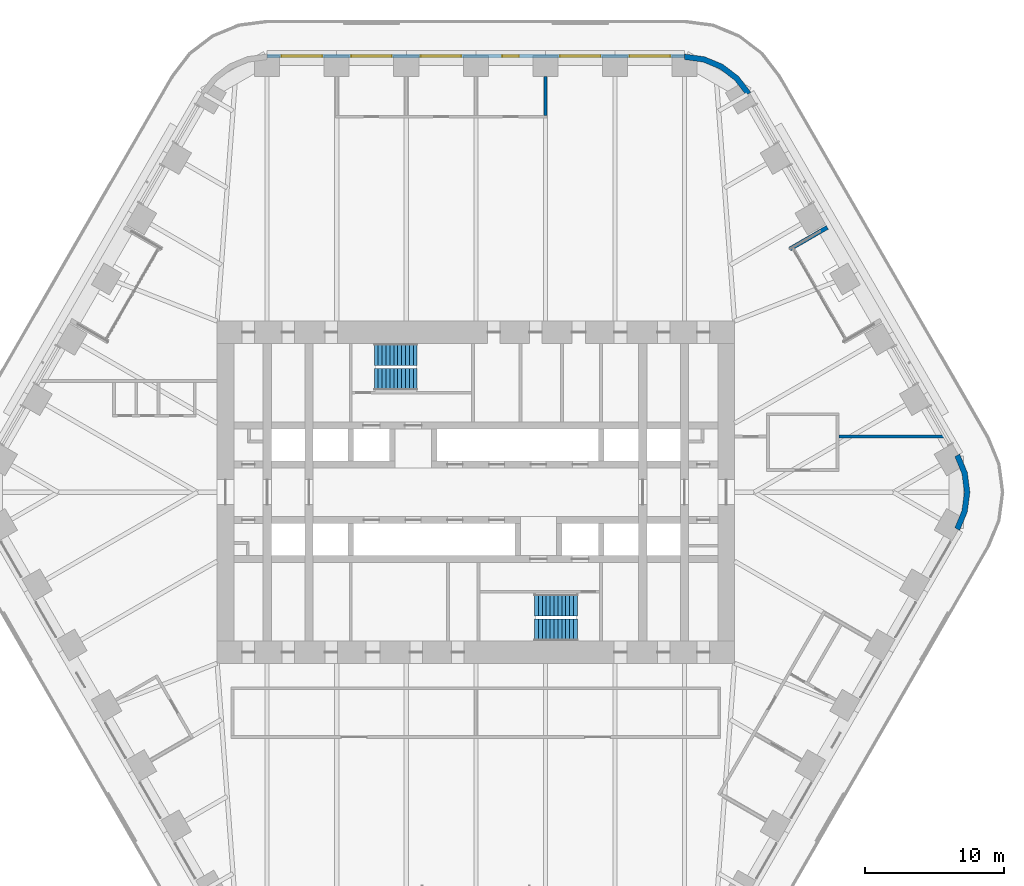
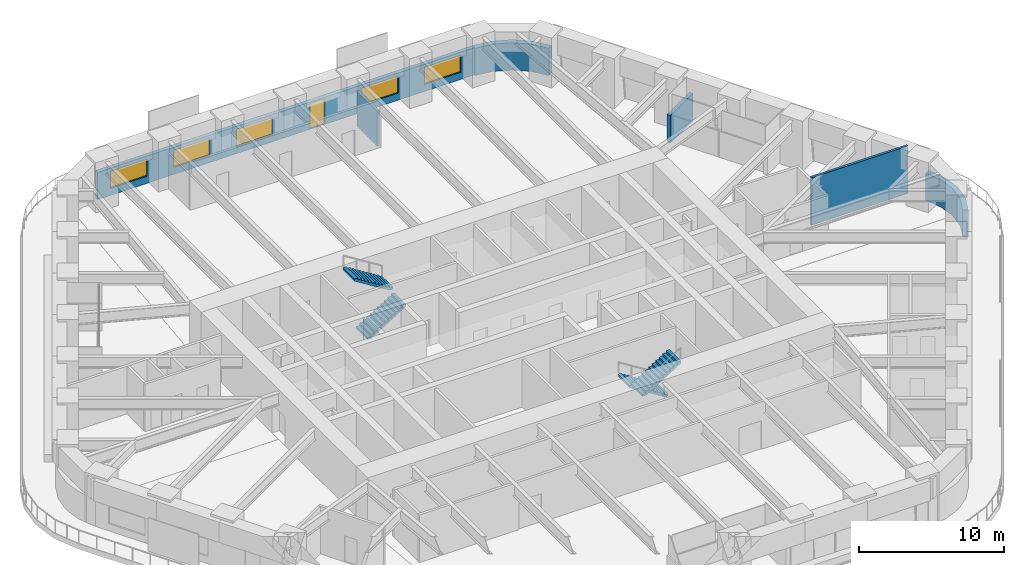
# One storey, part 21 of 24: 6 walls, 5 windows, 4 stair flights, 1 door, 6 openings, 2 elements without a shape of their own.
"""IFC4 building model written with IfcOpenShell, lengths in metres."""

from ifc_helpers import new_model, si_unit, direction, frame, frame_2d, origin, place, context, subcontext, project, spatial, polyline, rectangle, outline, extrude, material, layer, layer_set, type_object, element, fill, aggregate, save


model = new_model("IFC4")

# Units and contexts
model_context = context("Model", 3, precision=1e-05, world=origin(), true_north=direction((0.0, 1.0)))
body_context = subcontext(model_context, "Body", "Model", "MODEL_VIEW")
ifc_project = project(units=[si_unit("LENGTHUNIT", "METRE"), si_unit("AREAUNIT", "SQUARE_METRE"), si_unit("VOLUMEUNIT", "CUBIC_METRE"), si_unit("PLANEANGLEUNIT", "RADIAN"), si_unit("MASSUNIT", "GRAM", prefix="KILO")], contexts=[model_context])

# Site, building, storey
site_placement = place(None, origin())
site = spatial("IfcSite", under=ifc_project, at=site_placement, CompositionType="ELEMENT")
building_placement = place(site_placement, origin())
building = spatial("IfcBuilding", under=site, at=building_placement, Name="Tarfa Lantern Tower", CompositionType="ELEMENT")
storey_placement = place(building_placement, frame((0.0, 0.0, 127.89990234375)))
storey = spatial("IfcBuildingStorey", under=building, at=storey_placement, Name="L28", CompositionType="ELEMENT", Elevation=127.89990234375)

# Wall
ifc_material_1 = material(Name="Limestone cladding on blockwork", Category="masonry")
ifc_layer_1 = layer(ifc_material_1, 0.300048828125)
ifc_layer_set_1 = layer_set([ifc_layer_1], Name="EW1 STONE-CLAD WALL 300")
wall_type_1 = type_object("IfcWallType", Name="EW1 STONE-CLAD WALL 300", PredefinedType="SOLIDWALL", material=ifc_layer_set_1)
wall_1_placement = place(storey_placement, frame((25.266357421875, 19.037353515625, 0.0), z_axis=(0.0, 0.0, 1.0), x_axis=(-0.86600983753, -0.500026960575, 0.0)))
element("IfcWall", 1, at=wall_1_placement, inside=storey, type_object=wall_type_1, Name="Loggia return NE 2", PredefinedType="SOLIDWALL", context=body_context, shape_type="SweptSolid", body=[
    extrude(rectangle(XDim=3.099853515625, YDim=0.300048828125, at=frame_2d((1.5498046875, 0.0))), origin(), (0.0, 0.0, 1.0), 2.300048828125),
])

# Wall, openings, door, windows
wall_2_placement = place(storey_placement, frame((15.010986328125, 31.35009765625, 0.0), z_axis=(0.0, 0.0, 1.0), x_axis=(-1.0, 0.0, 0.0)))
wall_2 = element("IfcWall", 2, at=wall_2_placement, inside=storey, type_object=wall_type_1, Name="Stone wall N", PredefinedType="SOLIDWALL", context=body_context, shape_type="SweptSolid", body=[
    extrude(rectangle(XDim=30.02197265625, YDim=0.300048828125, at=frame_2d((15.010986328125, 0.0))), origin(), (0.0, 0.0, 1.0), 2.300048828125),
])
opening_1_placement = place(wall_2_placement, frame((1.0517578125, 0.0, 0.60009765625)))
opening_1 = element("IfcOpeningElement", 3, at=opening_1_placement, cuts=wall_2, Name="Opening W8", PredefinedType="OPENING", context=body_context, shape_type="SweptSolid", body=[
    extrude(rectangle(XDim=2.89990234375, YDim=1.449951171875, at=frame_2d((1.449951171875, 0.72509765625))), frame((0.0, 0.159912109375, 0.0), z_axis=(0.0, -1.0, 0.0), x_axis=(1.0, 0.0, 0.0)), (0.0, 0.0, 1.0), 0.320068359375),
])
opening_2_placement = place(wall_2_placement, frame((6.0556640625, 0.0, 0.60009765625)))
opening_2 = element("IfcOpeningElement", 4, at=opening_2_placement, cuts=wall_2, Name="Opening W8", PredefinedType="OPENING", context=body_context, shape_type="SweptSolid", body=[
    extrude(rectangle(XDim=2.89990234375, YDim=1.449951171875, at=frame_2d((1.449951171875, 0.72509765625))), frame((0.0, 0.159912109375, 0.0), z_axis=(0.0, -1.0, 0.0), x_axis=(1.0, 0.0, 0.0)), (0.0, 0.0, 1.0), 0.320068359375),
])
opening_3_placement = place(wall_2_placement, frame((11.9091796875, 0.0, 0.0)))
opening_3 = element("IfcOpeningElement", 5, at=opening_3_placement, cuts=wall_2, Name="Opening D48", PredefinedType="OPENING", context=body_context, shape_type="SweptSolid", body=[
    extrude(rectangle(XDim=1.199951171875, YDim=2.199951171875, at=frame_2d((0.60009765625, 1.10009765625))), frame((0.0, 0.159912109375, 0.0), z_axis=(0.0, -1.0, 0.0), x_axis=(1.0, 0.0, 0.0)), (0.0, 0.0, 1.0), 0.320068359375),
])
opening_4_placement = place(wall_2_placement, frame((16.06298828125, 0.0, 0.60009765625)))
opening_4 = element("IfcOpeningElement", 6, at=opening_4_placement, cuts=wall_2, Name="Opening W8", PredefinedType="OPENING", context=body_context, shape_type="SweptSolid", body=[
    extrude(rectangle(XDim=2.89990234375, YDim=1.449951171875, at=frame_2d((1.449951171875, 0.72509765625))), frame((0.0, 0.159912109375, 0.0), z_axis=(0.0, -1.0, 0.0), x_axis=(1.0, 0.0, 0.0)), (0.0, 0.0, 1.0), 0.320068359375),
])
opening_5_placement = place(wall_2_placement, frame((21.066650390625, 0.0, 0.60009765625)))
opening_5 = element("IfcOpeningElement", 7, at=opening_5_placement, cuts=wall_2, Name="Opening W8", PredefinedType="OPENING", context=body_context, shape_type="SweptSolid", body=[
    extrude(rectangle(XDim=2.89990234375, YDim=1.449951171875, at=frame_2d((1.449951171875, 0.72509765625))), frame((0.0, 0.159912109375, 0.0), z_axis=(0.0, -1.0, 0.0), x_axis=(1.0, 0.0, 0.0)), (0.0, 0.0, 1.0), 0.320068359375),
])
opening_6_placement = place(wall_2_placement, frame((26.0703125, 0.0, 0.60009765625)))
opening_6 = element("IfcOpeningElement", 8, at=opening_6_placement, cuts=wall_2, Name="Opening W8", PredefinedType="OPENING", context=body_context, shape_type="SweptSolid", body=[
    extrude(rectangle(XDim=2.89990234375, YDim=1.449951171875, at=frame_2d((1.449951171875, 0.72509765625))), frame((0.0, 0.159912109375, 0.0), z_axis=(0.0, -1.0, 0.0), x_axis=(1.0, 0.0, 0.0)), (0.0, 0.0, 1.0), 0.320068359375),
])
ifc_material_2 = material(Name="Aluminium framed glazed door", Category="aluminium")
door_type = type_object("IfcDoorType", Name="BE5 BALCONY DOOR 1200x2200", OperationType="SINGLE_SWING_RIGHT", PredefinedType="DOOR", material=ifc_material_2)
door_placement = place(opening_3_placement, origin())
door = element("IfcDoor", 9, at=door_placement, inside=storey, type_object=door_type, Name="Balcony door N", OperationType="SINGLE_SWING_RIGHT", OverallHeight=2.199951171875, OverallWidth=1.199951171875, PredefinedType="DOOR", context=body_context, shape_type="SweptSolid", body=[
    extrude(rectangle(XDim=1.199951171875, YDim=2.199951171875, at=frame_2d((0.60009765625, 1.10009765625))), frame((0.0, 0.02490234375, 0.0), z_axis=(0.0, -1.0, 0.0), x_axis=(1.0, 0.0, 0.0)), (0.0, 0.0, 1.0), 0.050048828125),
])
fill(opening_3, door)
ifc_material_3 = material(Name="Aluminium frame, double glazed", Category="aluminium")
window_type = type_object("IfcWindowType", Name="W8 FULL-HEIGHT GLAZING 2900x1450", PartitioningType="SINGLE_PANEL", PredefinedType="WINDOW", material=ifc_material_3)
window_1_placement = place(opening_1_placement, origin())
window_1 = element("IfcWindow", 10, at=window_1_placement, inside=storey, type_object=window_type, Name="Window N 1", OverallHeight=1.449951171875, OverallWidth=2.89990234375, PartitioningType="SINGLE_PANEL", PredefinedType="WINDOW", context=body_context, shape_type="SweptSolid", body=[
    extrude(rectangle(XDim=2.89990234375, YDim=1.449951171875, at=frame_2d((1.449951171875, 0.72509765625))), frame((0.0, 0.030029296875, 0.0), z_axis=(0.0, -1.0, 0.0), x_axis=(1.0, 0.0, 0.0)), (0.0, 0.0, 1.0), 0.06005859375),
])
fill(opening_1, window_1)
window_2_placement = place(opening_2_placement, origin())
window_2 = element("IfcWindow", 11, at=window_2_placement, inside=storey, type_object=window_type, Name="Window N 2", OverallHeight=1.449951171875, OverallWidth=2.89990234375, PartitioningType="SINGLE_PANEL", PredefinedType="WINDOW", context=body_context, shape_type="SweptSolid", body=[
    extrude(rectangle(XDim=2.89990234375, YDim=1.449951171875, at=frame_2d((1.449951171875, 0.72509765625))), frame((0.0, 0.030029296875, 0.0), z_axis=(0.0, -1.0, 0.0), x_axis=(1.0, 0.0, 0.0)), (0.0, 0.0, 1.0), 0.06005859375),
])
fill(opening_2, window_2)
window_3_placement = place(opening_4_placement, origin())
window_3 = element("IfcWindow", 12, at=window_3_placement, inside=storey, type_object=window_type, Name="Window N 4", OverallHeight=1.449951171875, OverallWidth=2.89990234375, PartitioningType="SINGLE_PANEL", PredefinedType="WINDOW", context=body_context, shape_type="SweptSolid", body=[
    extrude(rectangle(XDim=2.89990234375, YDim=1.449951171875, at=frame_2d((1.449951171875, 0.72509765625))), frame((0.0, 0.030029296875, 0.0), z_axis=(0.0, -1.0, 0.0), x_axis=(1.0, 0.0, 0.0)), (0.0, 0.0, 1.0), 0.06005859375),
])
fill(opening_4, window_3)
window_4_placement = place(opening_5_placement, origin())
window_4 = element("IfcWindow", 13, at=window_4_placement, inside=storey, type_object=window_type, Name="Window N 5", OverallHeight=1.449951171875, OverallWidth=2.89990234375, PartitioningType="SINGLE_PANEL", PredefinedType="WINDOW", context=body_context, shape_type="SweptSolid", body=[
    extrude(rectangle(XDim=2.89990234375, YDim=1.449951171875, at=frame_2d((1.449951171875, 0.72509765625))), frame((0.0, 0.030029296875, 0.0), z_axis=(0.0, -1.0, 0.0), x_axis=(1.0, 0.0, 0.0)), (0.0, 0.0, 1.0), 0.06005859375),
])
fill(opening_5, window_4)
window_5_placement = place(opening_6_placement, origin())
window_5 = element("IfcWindow", 14, at=window_5_placement, inside=storey, type_object=window_type, Name="Window N 6", OverallHeight=1.449951171875, OverallWidth=2.89990234375, PartitioningType="SINGLE_PANEL", PredefinedType="WINDOW", context=body_context, shape_type="SweptSolid", body=[
    extrude(rectangle(XDim=2.89990234375, YDim=1.449951171875, at=frame_2d((1.449951171875, 0.72509765625))), frame((0.0, 0.030029296875, 0.0), z_axis=(0.0, -1.0, 0.0), x_axis=(1.0, 0.0, 0.0)), (0.0, 0.0, 1.0), 0.06005859375),
])
fill(opening_6, window_5)

# Walls
ifc_layer_2 = layer(ifc_material_1, 0.39990234375)
ifc_layer_set_2 = layer_set([ifc_layer_2], Name="EW2 CURVED STONE CORNER 400")
wall_type_2 = type_object("IfcWallType", Name="EW2 CURVED STONE CORNER 400", PredefinedType="SOLIDWALL", material=ifc_layer_set_2)
wall_3_placement = place(storey_placement, origin())
element("IfcWall", 15, at=wall_3_placement, inside=storey, type_object=wall_type_2, Name="Stone corner NE-N", PredefinedType="SOLIDWALL", context=body_context, shape_type="SweptSolid", body=[
    extrude(outline(polyline([(19.774169921875, 28.75), (18.900146484375, 29.88916015625), (17.760986328125, 30.76318359375), (16.4345703125, 31.3125), (15.010986328125, 31.5), (15.010986328125, 31.10009765625), (16.3310546875, 30.92626953125), (17.56103515625, 30.416748046875), (18.617431640625, 29.606201171875), (19.427734375, 28.550048828125), (19.774169921875, 28.75)])), origin(), (0.0, 0.0, 1.0), 2.300048828125),
])
wall_4_placement = place(storey_placement, origin())
element("IfcWall", 16, at=wall_4_placement, inside=storey, type_object=wall_type_2, Name="Stone corner SE-NE", PredefinedType="SOLIDWALL", context=body_context, shape_type="SweptSolid", body=[
    extrude(outline(polyline([(34.785400390625, -2.75), (35.334716796875, -1.423583984375), (35.522216796875, 0.0), (35.334716796875, 1.423583984375), (34.785400390625, 2.75), (34.43896484375, 2.550048828125), (34.948486328125, 1.320068359375), (35.122314453125, 0.0), (34.948486328125, -1.320068359375), (34.43896484375, -2.550048828125), (34.785400390625, -2.75)])), origin(), (0.0, 0.0, 1.0), 2.300048828125),
])
ifc_material_4 = material(Name="Gypsum board on steel studs", Category="steel")
ifc_layer_3 = layer(ifc_material_4, 0.2099609375)
ifc_layer_set_3 = layer_set([ifc_layer_3], Name="IW2 ACOUSTIC PARTITION 200")
wall_type_3 = type_object("IfcWallType", Name="IW2 ACOUSTIC PARTITION 200", PredefinedType="PARTITIONING", material=ifc_layer_set_3)
wall_5_placement = place(storey_placement, frame((5.003662109375, 27.10009765625, 0.0), z_axis=(0.0, 0.0, 1.0), x_axis=(0.0, 1.0, 0.0)))
element("IfcWall", 17, at=wall_5_placement, inside=storey, type_object=wall_type_3, Name="Partition", PredefinedType="PARTITIONING", context=body_context, shape_type="SweptSolid", body=[
    extrude(rectangle(XDim=2.7998046875, YDim=0.199951171875, at=frame_2d((1.39990234375, 0.0))), origin(), (0.0, 0.0, 1.0), 2.991943359375),
])
wall_6_placement = place(storey_placement, frame((26.10009765625, 4.0, 0.0), z_axis=(0.0, 0.0, 1.0), x_axis=(1.0, 0.0, 0.0)))
element("IfcWall", 18, at=wall_6_placement, inside=storey, type_object=wall_type_3, Name="Partition", PredefinedType="PARTITIONING", context=body_context, shape_type="SweptSolid", body=[
    extrude(rectangle(XDim=7.70947265625, YDim=0.199951171875, at=frame_2d((3.854736328125, 0.0))), origin(), (0.0, 0.0, 1.0), 4.0),
])

# Stair, stair flights
ifc_material_5 = material(Name="Concrete C40/50", Category="concrete")
stair_type = type_object("IfcStairType", Name="ST-T10 HALF-TURN STAIR 4200 RISE", PredefinedType="HALF_TURN_STAIR", material=ifc_material_5)
stair_1_placement = place(storey_placement, origin())
stair_1 = element("IfcStair", 19, at=stair_1_placement, inside=storey, type_object=stair_type, Name="Stair ST1", PredefinedType="HALF_TURN_STAIR")
stair_flight_type = type_object("IfcStairFlightType", Name="SF1 STAIR FLIGHT", PredefinedType="STRAIGHT", material=ifc_material_5)
stair_flight_1_placement = place(storey_placement, frame((-7.300048828125, 8.10009765625, 0.0), z_axis=(0.0, 0.0, 1.0), x_axis=(1.0, 0.0, 0.0)))
stair_flight_1 = element("IfcStairFlight", 20, at=stair_flight_1_placement, type_object=stair_flight_type, Name="ST1 flight 1", NumberOfRisers=12, NumberOfTreads=11, PredefinedType="STRAIGHT", RiserHeight=0.175, TreadLength=0.28, context=body_context, shape_type="SweptSolid", body=[
    extrude(outline(polyline([(0.0, 0.0), (0.0, 0.175048828125), (0.280029296875, 0.175048828125), (0.280029296875, 0.35009765625), (0.56005859375, 0.35009765625), (0.56005859375, 0.52490234375), (0.840087890625, 0.52490234375), (0.840087890625, 0.699951171875), (1.1201171875, 0.699951171875), (1.1201171875, 0.875), (1.39990234375, 0.875), (1.39990234375, 1.050048828125), (1.679931640625, 1.050048828125), (1.679931640625, 1.22509765625), (1.9599609375, 1.22509765625), (1.9599609375, 1.39990234375), (2.239990234375, 1.39990234375), (2.239990234375, 1.574951171875), (2.52001953125, 1.574951171875), (2.52001953125, 1.75), (2.800048828125, 1.75), (2.800048828125, 1.925048828125), (3.080078125, 1.925048828125), (3.080078125, 2.10009765625), (3.080078125, 1.748291015625), (0.28271484375, 0.0), (0.0, 0.0)])), frame((0.0, 0.800048828125, 0.0), z_axis=(0.0, -1.0, 0.0), x_axis=(1.0, 0.0, 0.0)), (0.0, 0.0, 1.0), 1.60009765625),
])
stair_flight_2_placement = place(storey_placement, frame((-4.219970703125, 9.89990234375, 2.10009765625), z_axis=(0.0, 0.0, 1.0), x_axis=(-1.0, 0.0, 0.0)))
stair_flight_2 = element("IfcStairFlight", 21, at=stair_flight_2_placement, type_object=stair_flight_type, Name="ST1 flight 2", NumberOfRisers=12, NumberOfTreads=11, PredefinedType="STRAIGHT", RiserHeight=0.175, TreadLength=0.28, context=body_context, shape_type="SweptSolid", body=[
    extrude(outline(polyline([(0.0, 0.0), (0.0, 0.175048828125), (0.280029296875, 0.175048828125), (0.280029296875, 0.35009765625), (0.56005859375, 0.35009765625), (0.56005859375, 0.52490234375), (0.840087890625, 0.52490234375), (0.840087890625, 0.699951171875), (1.1201171875, 0.699951171875), (1.1201171875, 0.875), (1.39990234375, 0.875), (1.39990234375, 1.050048828125), (1.679931640625, 1.050048828125), (1.679931640625, 1.22509765625), (1.9599609375, 1.22509765625), (1.9599609375, 1.39990234375), (2.239990234375, 1.39990234375), (2.239990234375, 1.574951171875), (2.52001953125, 1.574951171875), (2.52001953125, 1.75), (2.800048828125, 1.75), (2.800048828125, 1.925048828125), (3.080078125, 1.925048828125), (3.080078125, 2.10009765625), (3.080078125, 1.748291015625), (0.28271484375, 0.0), (0.0, 0.0)])), frame((0.0, 0.800048828125, 0.0), z_axis=(0.0, -1.0, 0.0), x_axis=(1.0, 0.0, 0.0)), (0.0, 0.0, 1.0), 1.60009765625),
])
aggregate(stair_1, [stair_flight_1, stair_flight_2])

stair_2_placement = place(storey_placement, origin())
stair_2 = element("IfcStair", 22, at=stair_2_placement, inside=storey, type_object=stair_type, Name="Stair ST2", PredefinedType="HALF_TURN_STAIR")
stair_flight_3_placement = place(storey_placement, frame((7.300048828125, -8.10009765625, 0.0), z_axis=(0.0, 0.0, 1.0), x_axis=(-1.0, 0.0, 0.0)))
stair_flight_3 = element("IfcStairFlight", 23, at=stair_flight_3_placement, type_object=stair_flight_type, Name="ST2 flight 1", NumberOfRisers=12, NumberOfTreads=11, PredefinedType="STRAIGHT", RiserHeight=0.175, TreadLength=0.28, context=body_context, shape_type="SweptSolid", body=[
    extrude(outline(polyline([(0.0, 0.0), (0.0, 0.175048828125), (0.280029296875, 0.175048828125), (0.280029296875, 0.35009765625), (0.56005859375, 0.35009765625), (0.56005859375, 0.52490234375), (0.840087890625, 0.52490234375), (0.840087890625, 0.699951171875), (1.1201171875, 0.699951171875), (1.1201171875, 0.875), (1.39990234375, 0.875), (1.39990234375, 1.050048828125), (1.679931640625, 1.050048828125), (1.679931640625, 1.22509765625), (1.9599609375, 1.22509765625), (1.9599609375, 1.39990234375), (2.239990234375, 1.39990234375), (2.239990234375, 1.574951171875), (2.52001953125, 1.574951171875), (2.52001953125, 1.75), (2.800048828125, 1.75), (2.800048828125, 1.925048828125), (3.080078125, 1.925048828125), (3.080078125, 2.10009765625), (3.080078125, 1.748291015625), (0.28271484375, 0.0), (0.0, 0.0)])), frame((0.0, 0.800048828125, 0.0), z_axis=(0.0, -1.0, 0.0), x_axis=(1.0, 0.0, 0.0)), (0.0, 0.0, 1.0), 1.60009765625),
])
stair_flight_4_placement = place(storey_placement, frame((4.219970703125, -9.89990234375, 2.10009765625), z_axis=(0.0, 0.0, 1.0), x_axis=(1.0, 0.0, 0.0)))
stair_flight_4 = element("IfcStairFlight", 24, at=stair_flight_4_placement, type_object=stair_flight_type, Name="ST2 flight 2", NumberOfRisers=12, NumberOfTreads=11, PredefinedType="STRAIGHT", RiserHeight=0.175, TreadLength=0.28, context=body_context, shape_type="SweptSolid", body=[
    extrude(outline(polyline([(0.0, 0.0), (0.0, 0.175048828125), (0.280029296875, 0.175048828125), (0.280029296875, 0.35009765625), (0.56005859375, 0.35009765625), (0.56005859375, 0.52490234375), (0.840087890625, 0.52490234375), (0.840087890625, 0.699951171875), (1.1201171875, 0.699951171875), (1.1201171875, 0.875), (1.39990234375, 0.875), (1.39990234375, 1.050048828125), (1.679931640625, 1.050048828125), (1.679931640625, 1.22509765625), (1.9599609375, 1.22509765625), (1.9599609375, 1.39990234375), (2.239990234375, 1.39990234375), (2.239990234375, 1.574951171875), (2.52001953125, 1.574951171875), (2.52001953125, 1.75), (2.800048828125, 1.75), (2.800048828125, 1.925048828125), (3.080078125, 1.925048828125), (3.080078125, 2.10009765625), (3.080078125, 1.748291015625), (0.28271484375, 0.0), (0.0, 0.0)])), frame((0.0, 0.800048828125, 0.0), z_axis=(0.0, -1.0, 0.0), x_axis=(1.0, 0.0, 0.0)), (0.0, 0.0, 1.0), 1.60009765625),
])
aggregate(stair_2, [stair_flight_3, stair_flight_4])

save(model, "model.ifc")
